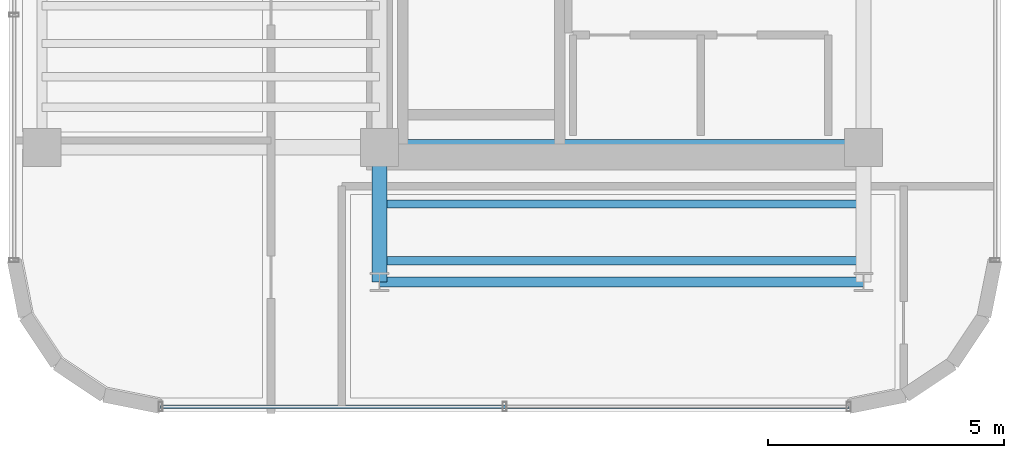
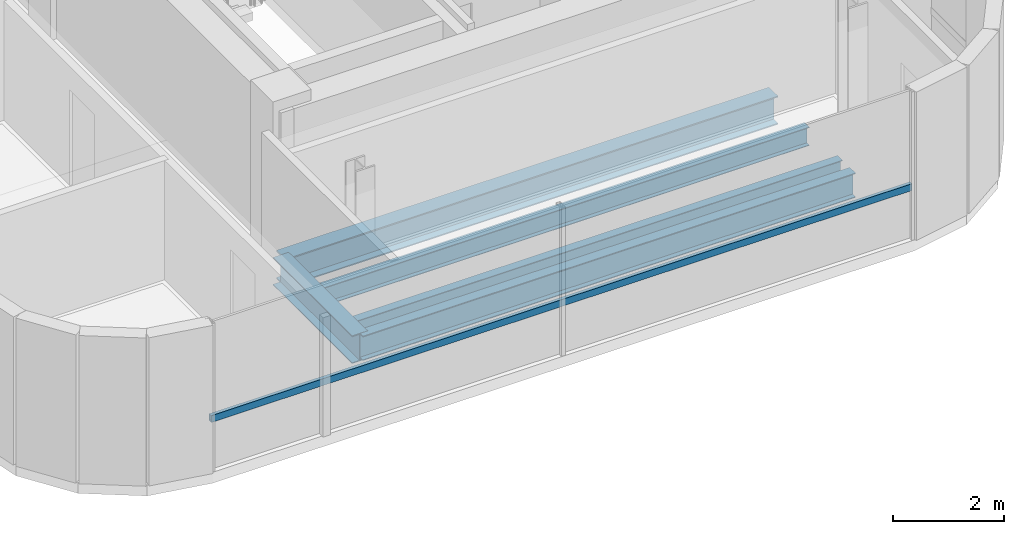
# One storey, part 3 of 20: 5 beams, 1 member, 1 element without a shape of its own.
"""IFC4 building model written with IfcOpenShell, lengths in metres."""

from ifc_helpers import new_model, si_unit, direction, frame, origin, origin_2d, place, context, subcontext, project, spatial, hollow_rectangle, i_section, extrude, source, transform, mapped, material, material_profile, profile_set, type_object, element, aggregate, save


model = new_model("IFC4")

# Units and contexts
model_context = context("Model", 3, precision=1e-05, world=origin(), true_north=direction((0.0, 1.0)))
body_context = subcontext(model_context, "Body", "Model", "MODEL_VIEW")
ifc_project = project(units=[si_unit("LENGTHUNIT", "METRE"), si_unit("AREAUNIT", "SQUARE_METRE"), si_unit("VOLUMEUNIT", "CUBIC_METRE"), si_unit("PLANEANGLEUNIT", "RADIAN"), si_unit("MASSUNIT", "GRAM", prefix="KILO")], contexts=[model_context])

# Site, building, storey
site_placement = place(None, origin())
site = spatial("IfcSite", under=ifc_project, at=site_placement, CompositionType="ELEMENT")
building_placement = place(site_placement, origin())
building = spatial("IfcBuilding", under=site, at=building_placement, Name="Valdorenza Pilgrim Sanctuary Tower", CompositionType="ELEMENT")
storey_placement = place(building_placement, frame((0.0, 0.0, 280.0)))
storey = spatial("IfcBuildingStorey", under=building, at=storey_placement, Name="L73", CompositionType="ELEMENT", Elevation=280.0)

# Beams
ifc_material_1 = material(Name="Steel ASTM A992 Grade 50", Category="steel")
ifc_material_profile_1 = material_profile(ifc_material_1, i_section(OverallWidth=0.323974609375, OverallDepth=0.611083984375, WebThickness=0.0126953125, FlangeThickness=0.01904296875, at=origin_2d()), Name="W24X104")
ifc_profile_set_1 = profile_set([ifc_material_profile_1], Name="Steel ASTM A992 Grade 50")
beam_type_1 = type_object("IfcBeamType", Name="STR-BM-GRD-W24B", PredefinedType="BEAM", material=ifc_profile_set_1)
shared_shape_1 = source(origin(), body_context, "Body", "SweptSolid", [
    extrude(i_section(OverallWidth=0.323974609375, OverallDepth=0.611083984375, WebThickness=0.0126953125, FlangeThickness=0.01904296875, at=origin_2d()), origin(), (0.0, 0.0, 1.0), 2.849853515625),
])
beam_1_placement = place(storey_placement, frame((-22.64990234375, -13.449951171875, -0.54541015625), z_axis=(0.0, 1.0, 0.0), x_axis=(-1.0, 0.0, 0.0)))
element("IfcBeam", 1, at=beam_1_placement, inside=storey, type_object=beam_type_1, Name="L73 Floor Girder WA-S-LW", PredefinedType="BEAM", context=body_context, shape_type="MappedRepresentation", body=[
    mapped(shared_shape_1, transform((0.0, 0.0, 0.0), x_axis=(1.0, 0.0, 0.0), y_axis=(0.0, 1.0, 0.0), z_axis=(0.0, 0.0, 1.0), scale=1.0)),
])
ifc_material_profile_2 = material_profile(ifc_material_1, i_section(OverallWidth=0.2109375, OverallDepth=0.5390625, WebThickness=0.01171875, FlangeThickness=0.018798828125, at=origin_2d()), Name="W21X73")
ifc_profile_set_2 = profile_set([ifc_material_profile_2], Name="Steel ASTM A992 Grade 50")
beam_type_2 = type_object("IfcBeamType", Name="STR-BM-SPN-W21B", PredefinedType="SPANDREL", material=ifc_profile_set_2)
shared_shape_2 = source(origin(), body_context, "Body", "SweptSolid", [
    extrude(i_section(OverallWidth=0.2109375, OverallDepth=0.5390625, WebThickness=0.01171875, FlangeThickness=0.018798828125, at=origin_2d()), origin(), (0.0, 0.0, 1.0), 10.25),
])
beam_2_placement = place(storey_placement, frame((-22.64990234375, -13.449951171875, -0.509521484375), z_axis=(1.0, 0.0, 0.0), x_axis=(0.0, 1.0, 0.0)))
element("IfcBeam", 2, at=beam_2_placement, inside=storey, type_object=beam_type_2, Name="L73 South Spandrel WA-S-TIE", PredefinedType="SPANDREL", context=body_context, shape_type="MappedRepresentation", body=[
    mapped(shared_shape_2, transform((0.0, 0.0, 0.0), x_axis=(1.0, 0.0, 0.0), y_axis=(0.0, 1.0, 0.0), z_axis=(0.0, 0.0, 1.0), scale=1.0)),
])
ifc_material_profile_3 = material_profile(ifc_material_1, i_section(OverallWidth=0.177978515625, OverallDepth=0.406005859375, WebThickness=0.0078125, FlangeThickness=0.0126953125, at=origin_2d()), Name="W16X40")
ifc_profile_set_3 = profile_set([ifc_material_profile_3], Name="Steel ASTM A992 Grade 50")
beam_type_3 = type_object("IfcBeamType", Name="STR-BM-JST-W16", PredefinedType="JOIST", material=ifc_profile_set_3)
shared_shape_3 = source(origin(), body_context, "Body", "SweptSolid", [
    extrude(i_section(OverallWidth=0.177978515625, OverallDepth=0.406005859375, WebThickness=0.0078125, FlangeThickness=0.0126953125, at=origin_2d()), origin(), (0.0, 0.0, 1.0), 10.25),
])
for number, where, z_axis, x_axis, name in (
    (3, (-22.64990234375, -13.0, -0.443115234375), (1.0, 0.0, 0.0), (0.0, 1.0, 0.0), "L73 Composite Floor Joist JST-WAS-1"),
    (4, (-22.64990234375, -11.800048828125, -0.443115234375), (1.0, 0.0, 0.0), (0.0, 1.0, 0.0), "L73 Composite Floor Joist JST-WAS-2"),
):
    element("IfcBeam", number, at=place(storey_placement, frame(where, z_axis=z_axis, x_axis=x_axis)), inside=storey, type_object=beam_type_3, Name=name, PredefinedType="JOIST", context=body_context, shape_type="MappedRepresentation", body=[
        mapped(shared_shape_3, transform((0.0, 0.0, 0.0), x_axis=(1.0, 0.0, 0.0), y_axis=(0.0, 1.0, 0.0), z_axis=(0.0, 0.0, 1.0), scale=1.0)),
    ])
ifc_material_profile_4 = material_profile(ifc_material_1, i_section(OverallWidth=0.326904296875, OverallDepth=0.6220703125, WebThickness=0.015380859375, FlangeThickness=0.0244140625, at=origin_2d()), Name="W24X131")
ifc_profile_set_4 = profile_set([ifc_material_profile_4], Name="Steel ASTM A992 Grade 50")
beam_type_4 = type_object("IfcBeamType", Name="STR-BM-GRD-W24A", PredefinedType="BEAM", material=ifc_profile_set_4)
shared_shape_4 = source(origin(), body_context, "Body", "SweptSolid", [
    extrude(i_section(OverallWidth=0.326904296875, OverallDepth=0.6220703125, WebThickness=0.015380859375, FlangeThickness=0.0244140625, at=origin_2d()), origin(), (0.0, 0.0, 1.0), 10.25),
])
beam_3_placement = place(storey_placement, frame((-22.64990234375, -10.60009765625, -0.551025390625), z_axis=(1.0, 0.0, 0.0), x_axis=(0.0, 1.0, 0.0)))
element("IfcBeam", 5, at=beam_3_placement, inside=storey, type_object=beam_type_4, Name="L73 Floor Girder CA-XC-S1", PredefinedType="BEAM", context=body_context, shape_type="MappedRepresentation", body=[
    mapped(shared_shape_4, transform((0.0, 0.0, 0.0), x_axis=(1.0, 0.0, 0.0), y_axis=(0.0, 1.0, 0.0), z_axis=(0.0, 0.0, 1.0), scale=1.0)),
])

# Curtain wall, member
ifc_material_2 = material(Name="Curtain-wall IGU glazing", Category="glass")
curtain_wall_type = type_object("IfcCurtainWallType", Name="CW-SYS-02", PredefinedType="NOTDEFINED", material=ifc_material_2)
curtain_wall_placement = place(storey_placement, origin())
curtain_wall = element("IfcCurtainWall", 6, at=curtain_wall_placement, inside=storey, type_object=curtain_wall_type, Name="L73 Curtain Wall CW-L73-1-26", PredefinedType="NOTDEFINED")
ifc_material_3 = material(Name="Anodised aluminium AW-6060", Category="aluminium")
ifc_material_profile_5 = material_profile(ifc_material_3, hollow_rectangle(XDim=0.074951171875, YDim=0.14990234375, WallThickness=0.00390625, at=origin_2d()), Name="ALU-T 150x75x4")
ifc_profile_set_5 = profile_set([ifc_material_profile_5], Name="Anodised aluminium AW-6060")
member_type = type_object("IfcMemberType", Name="CW-TRN-02", PredefinedType="USERDEFINED", material=ifc_profile_set_5)
shared_shape_5 = source(origin(), body_context, "Body", "SweptSolid", [
    extrude(hollow_rectangle(XDim=0.074951171875, YDim=0.14990234375, WallThickness=0.00390625, at=origin_2d()), origin(), (0.0, 0.0, 1.0), 14.57861328125),
])
member_placement = place(storey_placement, frame((-12.710693359375, -16.090087890625, 1.1201171875), z_axis=(-1.0, 0.0, 0.0), x_axis=(0.0, -1.0, 0.0)))
member = element("IfcMember", 7, at=member_placement, type_object=member_type, Name="CW-L73-1-26 Transom 1", ObjectType="TRANSOM", PredefinedType="USERDEFINED", context=body_context, shape_type="MappedRepresentation", body=[
    mapped(shared_shape_5, transform((0.0, 0.0, 0.0), x_axis=(1.0, 0.0, 0.0), y_axis=(0.0, 1.0, 0.0), z_axis=(0.0, 0.0, 1.0), scale=1.0)),
])
aggregate(curtain_wall, [member])

save(model, "model.ifc")
